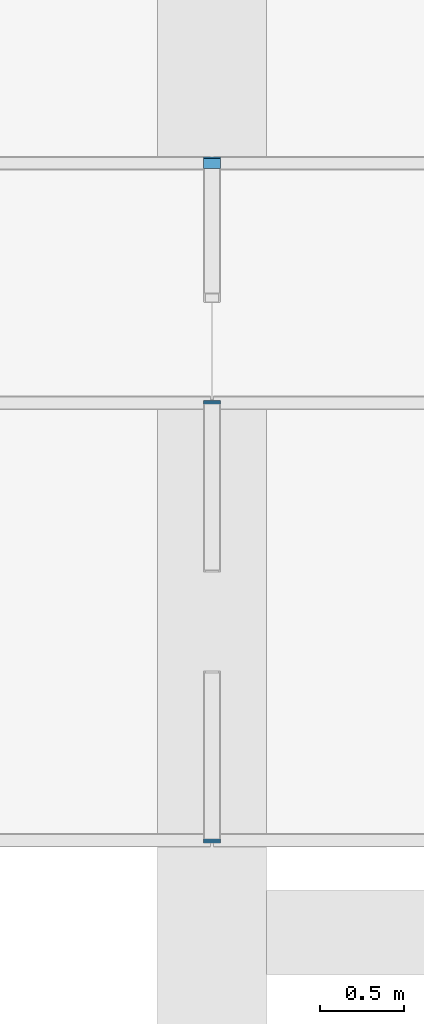
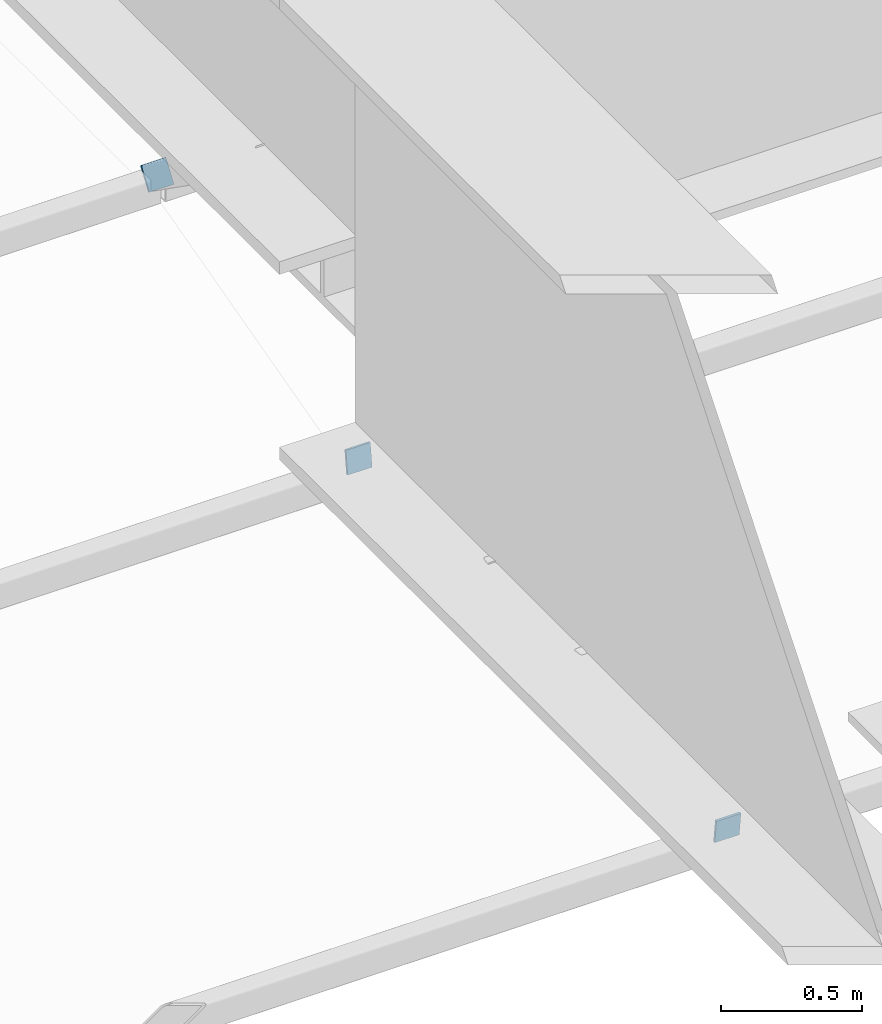
# One storey, part 124 of 153: 3 discrete accessories.
"""IFC4 building model written with IfcOpenShell, lengths in metres."""

from ifc_helpers import new_model, si_unit, direction, frame, origin, origin_2d, place, context, subcontext, project, spatial, rectangle, extrude, material, material_profile, profile_set, type_object, element, save


model = new_model("IFC4")

# Units and contexts
model_context = context("Model", 3, precision=1e-05, world=origin(), true_north=direction((0.0, 1.0)))
body_context = subcontext(model_context, "Body", "Model", "MODEL_VIEW")
ifc_project = project(units=[si_unit("LENGTHUNIT", "METRE"), si_unit("AREAUNIT", "SQUARE_METRE"), si_unit("VOLUMEUNIT", "CUBIC_METRE"), si_unit("PLANEANGLEUNIT", "RADIAN"), si_unit("MASSUNIT", "GRAM", prefix="KILO")], contexts=[model_context])

# Site, building, storey
site_placement = place(None, origin())
site = spatial("IfcSite", under=ifc_project, at=site_placement, CompositionType="ELEMENT")
building_placement = place(site_placement, origin())
building = spatial("IfcBuilding", under=site, at=building_placement, Name="Kallimachos Central Library", CompositionType="ELEMENT")
storey_placement = place(building_placement, frame((0.0, 0.0, 5.39990234375)))
storey = spatial("IfcBuildingStorey", under=building, at=storey_placement, Name="L01", CompositionType="ELEMENT", Elevation=5.39990234375)

# Discrete accessories
ifc_material = material(Name="Steel S355J2", Category="steel")
ifc_material_profile = material_profile(ifc_material, rectangle(XDim=0.10009765625, YDim=0.10009765625, at=origin_2d()), Name="End cap plate 10, 100x100")
ifc_profile_set = profile_set([ifc_material_profile], Name="Steel S355J2")
discrete_accessory_type = type_object("IfcDiscreteAccessoryType", Name="End cap plate 10, 100x100", PredefinedType="BRACKET", material=ifc_profile_set)
discrete_accessory_1_placement = place(storey_placement, frame((92.5, 118.033203125, 2.5478515625), z_axis=(0.0, -0.816967863265, 0.576683197599), x_axis=(1.0, 0.0, 0.0)))
element("IfcDiscreteAccessory", 1, at=discrete_accessory_1_placement, inside=storey, type_object=discrete_accessory_type, Name="End cap plate", PredefinedType="BRACKET", context=body_context, shape_type="SweptSolid", body=[
    extrude(rectangle(XDim=0.10009765625, YDim=0.10009765625, at=origin_2d()), origin(), (0.0, 0.0, 1.0), 0.01025390625),
])
discrete_accessory_2_placement = place(storey_placement, frame((92.5, 116.60986328125, 2.189453125), z_axis=(0.0, -0.992277876714, 0.124034734589), x_axis=(1.0, 0.0, 0.0)))
element("IfcDiscreteAccessory", 2, at=discrete_accessory_2_placement, inside=storey, type_object=discrete_accessory_type, Name="End cap plate", PredefinedType="BRACKET", context=body_context, shape_type="SweptSolid", body=[
    extrude(rectangle(XDim=0.10009765625, YDim=0.10009765625, at=origin_2d()), origin(), (0.0, 0.0, 1.0), 0.009765625),
])
discrete_accessory_3_placement = place(storey_placement, frame((92.5, 113.989990234375, 2.178466796875), z_axis=(0.0, 0.992645877551, 0.121054375311), x_axis=(-1.0, 0.0, 0.0)))
element("IfcDiscreteAccessory", 3, at=discrete_accessory_3_placement, inside=storey, type_object=discrete_accessory_type, Name="End cap plate", PredefinedType="BRACKET", context=body_context, shape_type="SweptSolid", body=[
    extrude(rectangle(XDim=0.10009765625, YDim=0.10009765625, at=origin_2d()), origin(), (0.0, 0.0, 1.0), 0.010009765625),
])

save(model, "model.ifc")
